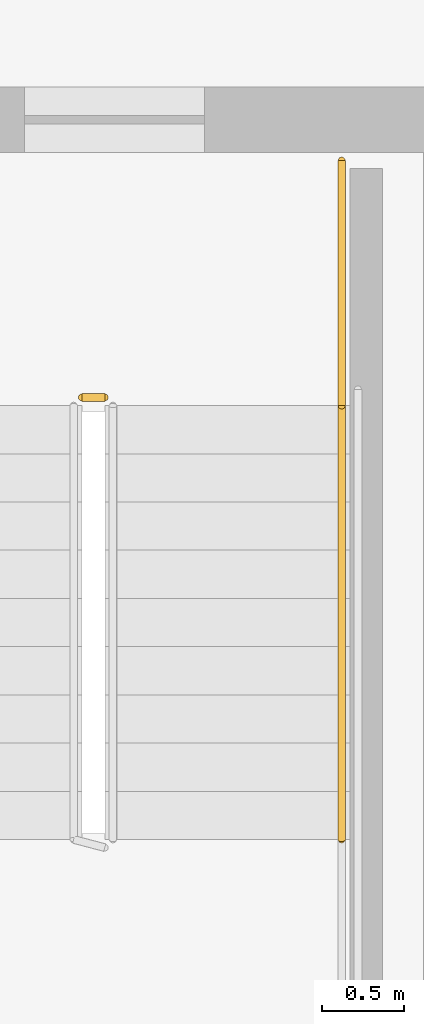
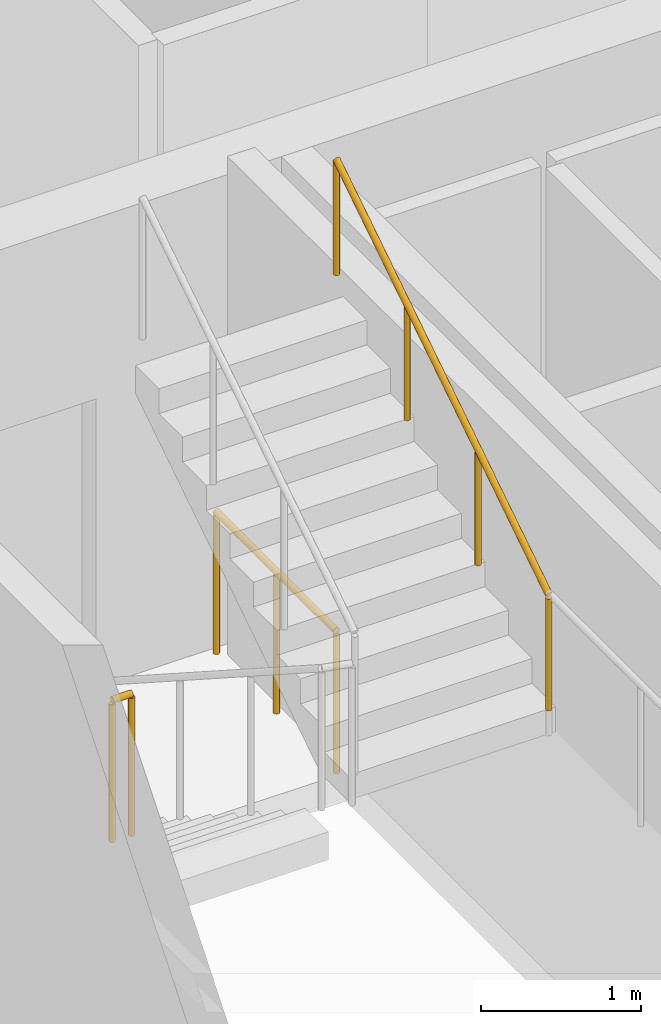
# One storey, part 34 of 37: 3 railings.
"""IFC4 building model written with IfcOpenShell, lengths in metres."""

import ifcopenshell
import ifcopenshell.guid

model = None  # the IFC model being written
_history = None  # IfcOwnerHistory: only IFC2X3 demands one
_inside = {}  # id of a spatial element -> (the spatial element, [elements in it])
_under = {}  # id of a project, library or spatial element -> (it, [spatial elements below it])
_declared = {}  # id of a project -> (the project, [libraries it declares])
_typed = {}  # id of a type object -> (the type object, [elements of that type])
_made_of = {}  # id of a material, layer set ... -> (it, [elements and type objects made of it])


def new_model(schema):
    """Start an empty IFC model of exactly this schema.

    Asked for "IFC4X3", IfcOpenShell would pick the latest addendum, in which some entities
    have other attributes; the version numbers below select the first issue.
    IFC2X3 requires an IfcOwnerHistory on every rooted entity: one is made here for all.
    """
    global model, _history
    if schema == "IFC4X3":
        model = ifcopenshell.file(schema_version=(4, 3, 0, 0))
    else:
        model = ifcopenshell.file(schema=schema)
    _inside.clear()
    _under.clear()
    _declared.clear()
    _typed.clear()
    _made_of.clear()
    _history = None
    if model.schema == "IFC2X3":
        org = make("IfcOrganization", Name="unknown")
        user = make(
            "IfcPersonAndOrganization",
            ThePerson=make("IfcPerson", FamilyName="unknown"),
            TheOrganization=org,
        )
        app = make(
            "IfcApplication",
            ApplicationDeveloper=org,
            Version="unknown",
            ApplicationFullName="unknown",
            ApplicationIdentifier="unknown",
        )
        _history = make(
            "IfcOwnerHistory",
            OwningUser=user,
            OwningApplication=app,
            ChangeAction="ADDED",
            CreationDate=0,
        )
    return model


def make(cls, **values):
    """One entity of the class cls with the attributes given. An attribute that is None is left unset."""
    return model.create_entity(
        cls, **{name: value for name, value in values.items() if value is not None}
    )


def rooted(cls, **values):
    """An entity with a GlobalId (a new one), such as an element, a storey or a relation."""
    return make(cls, GlobalId=ifcopenshell.guid.new(), OwnerHistory=_history, **values)


def si_unit(unit_type, name, prefix=None):
    """IfcSIUnit, for example si_unit("LENGTHUNIT", "METRE", prefix="MILLI")."""
    return make("IfcSIUnit", UnitType=unit_type, Prefix=prefix, Name=name)


def assignment(units):
    """IfcUnitAssignment: the units of a project."""
    return None if units is None else make("IfcUnitAssignment", Units=units)


def point(xyz):
    """IfcCartesianPoint."""
    return None if xyz is None else make("IfcCartesianPoint", Coordinates=xyz)


def direction(xyz):
    """IfcDirection."""
    return None if xyz is None else make("IfcDirection", DirectionRatios=xyz)


def frame(location, z_axis=None, x_axis=None):
    """IfcAxis2Placement3D, a coordinate frame: its origin and axes. An axis left out is left unset."""
    return make(
        "IfcAxis2Placement3D",
        Location=point(location),
        Axis=direction(z_axis),
        RefDirection=direction(x_axis),
    )


def frame_2d(location, x_axis=None):
    """IfcAxis2Placement2D, a coordinate frame in the plane: its origin and x axis."""
    return make(
        "IfcAxis2Placement2D", Location=point(location), RefDirection=direction(x_axis)
    )


def origin():
    """The frame at (0, 0, 0) with its axes left unset."""
    return frame((0.0, 0.0, 0.0))


def origin_2d():
    """The frame at (0, 0) in the plane with its x axis left unset."""
    return frame_2d((0.0, 0.0))


def place(relative_to, where):
    """IfcLocalPlacement: puts the frame where relative to a parent placement (None: the world)."""
    return make(
        "IfcLocalPlacement", PlacementRelTo=relative_to, RelativePlacement=where
    )


def context(
    kind, dimensions, precision=None, world=None, true_north=None, identifier=None
):
    """IfcGeometricRepresentationContext, for example the 3D "Model" context."""
    return make(
        "IfcGeometricRepresentationContext",
        ContextIdentifier=identifier,
        ContextType=kind,
        CoordinateSpaceDimension=dimensions,
        Precision=precision,
        WorldCoordinateSystem=world,
        TrueNorth=true_north,
    )


def subcontext(parent, identifier, kind, view, scale=None):
    """IfcGeometricRepresentationSubContext, for example "Body" below "Model"."""
    return make(
        "IfcGeometricRepresentationSubContext",
        ContextIdentifier=identifier,
        ContextType=kind,
        ParentContext=parent,
        TargetScale=scale,
        TargetView=view,
    )


def project(units=None, contexts=None):
    """IfcProject with its units and contexts."""
    return rooted(
        "IfcProject",
        Name="project",
        RepresentationContexts=contexts,
        UnitsInContext=assignment(units),
    )


def spatial(cls, under=None, at=None, **own):
    """A site, building, storey or space (cls), placed at a placement, below another one or the project."""
    s = rooted(cls, ObjectPlacement=at, **own)
    if under is not None:
        _under.setdefault(under.id(), (under, []))[1].append(s)
    return s


def profile(cls, at=None, kind="AREA", **sizes):
    """A parametric profile (cls). Its sizes go by their IFC names, for example OverallWidth=200.0."""
    return make(cls, ProfileType=kind, Position=at, **sizes)


def circle(**sizes):
    """IfcCircleProfileDef."""
    return profile("IfcCircleProfileDef", **sizes)


def extrude(swept, where, along, depth):
    """IfcExtrudedAreaSolid: the profile swept, set in the frame where, extruded along a direction by depth."""
    return make(
        "IfcExtrudedAreaSolid",
        SweptArea=swept,
        Position=where,
        ExtrudedDirection=direction(along),
        Depth=depth,
    )


def shape(context_of_items, identifier, shape_type, items):
    """IfcShapeRepresentation: the items that make up one representation, for example the "Body"."""
    return make(
        "IfcShapeRepresentation",
        ContextOfItems=context_of_items,
        RepresentationIdentifier=identifier,
        RepresentationType=shape_type,
        Items=items,
    )


def material(Name=None, Category=None):
    """IfcMaterial."""
    return make("IfcMaterial", Name=Name, Category=Category)


def layer(
    of_material, thickness, ventilated=None, Name=None, Category=None, Priority=None
):
    """IfcMaterialLayer: one layer of a wall or slab, of a material (None: an air gap)."""
    return make(
        "IfcMaterialLayer",
        Material=of_material,
        LayerThickness=thickness,
        IsVentilated=ventilated,
        Name=Name,
        Category=Category,
        Priority=Priority,
    )


def layer_set(layers, Name=None):
    """IfcMaterialLayerSet."""
    return make("IfcMaterialLayerSet", MaterialLayers=layers, LayerSetName=Name)


def made_of(thing, what):
    """Note that an element or type object is made of a material, layer set ...; save() writes the relation."""
    if what is not None:
        _made_of.setdefault(what.id(), (what, []))[1].append(thing)
    return thing


def type_object(cls, material=None, **own):
    """A type object (cls), such as IfcWallType, which elements share."""
    return made_of(rooted(cls, **own), material)


def element(
    cls,
    number,
    at=None,
    inside=None,
    cuts=None,
    type_object=None,
    material=None,
    context=None,
    identifier="Body",
    shape_type=None,
    held_by="IfcProductDefinitionShape",
    body=None,
    shapes=None,
    **own,
):
    """One element of the class cls, such as IfcWall. Its Tag is "e" and its number.

    at: its placement. inside: the storey or other place that contains it. cuts: it is an
    opening in that element (IfcRelVoidsElement). A single representation is given by context,
    identifier, shape_type and body (its items); several are given by shapes. held_by: the class
    of the entity that holds the representations. save() writes the other relations.
    """
    e = rooted(cls, Tag="e%d" % number, ObjectPlacement=at, **own)
    if body is not None:
        shapes = [shape(context, identifier, shape_type, body)]
    if shapes is not None:
        e.Representation = make(held_by, Representations=shapes)
    if inside is not None:
        _inside.setdefault(inside.id(), (inside, []))[1].append(e)
    if cuts is not None:
        rooted(
            "IfcRelVoidsElement", RelatingBuildingElement=cuts, RelatedOpeningElement=e
        )
    if type_object is not None:
        _typed.setdefault(type_object.id(), (type_object, []))[1].append(e)
    return made_of(e, material)


def aggregate(whole, parts):
    """IfcRelAggregates: a whole, such as a stair, and the parts it consists of."""
    return rooted("IfcRelAggregates", RelatingObject=whole, RelatedObjects=parts)


def save(model, path):
    """Write the relations noted so far, then the file.

    IfcRelAggregates (storeys below a building ...), IfcRelContainedInSpatialStructure (elements
    in a storey), IfcRelDefinesByType, IfcRelAssociatesMaterial and IfcRelDeclares: one each for
    every whole, place, type object, material and project.
    """
    for whole, parts in _under.values():
        aggregate(whole, parts)
    for where, things in _inside.values():
        rooted(
            "IfcRelContainedInSpatialStructure",
            RelatedElements=things,
            RelatingStructure=where,
        )
    for kind, things in _typed.values():
        rooted("IfcRelDefinesByType", RelatedObjects=things, RelatingType=kind)
    for what, things in _made_of.values():
        rooted("IfcRelAssociatesMaterial", RelatedObjects=things, RelatingMaterial=what)
    for by, libraries in _declared.values():
        rooted("IfcRelDeclares", RelatingContext=by, RelatedDefinitions=libraries)
    model.write(path)


model = new_model("IFC4")

# Units and contexts
model_context = context("Model", 3, precision=1e-05, world=origin(), true_north=direction((0.0, 1.0)))
body_context = subcontext(model_context, "Body", "Model", "MODEL_VIEW")
ifc_project = project(units=[si_unit("LENGTHUNIT", "METRE"), si_unit("AREAUNIT", "SQUARE_METRE"), si_unit("VOLUMEUNIT", "CUBIC_METRE"), si_unit("PLANEANGLEUNIT", "RADIAN"), si_unit("MASSUNIT", "GRAM", prefix="KILO")], contexts=[model_context])

# Site, building, storey
site_placement = place(None, origin())
site = spatial("IfcSite", under=ifc_project, at=site_placement, CompositionType="ELEMENT")
building_placement = place(site_placement, origin())
building = spatial("IfcBuilding", under=site, at=building_placement, Name="Ndaravel Arena Tower", CompositionType="ELEMENT")
storey_placement = place(building_placement, frame((0.0, 0.0, 218.0)))
storey = spatial("IfcBuildingStorey", under=building, at=storey_placement, Name="L52", CompositionType="ELEMENT", Elevation=218.0)

# Railings
ifc_material_1 = material(Name="Steel S355", Category="steel")
ifc_layer_1 = layer(ifc_material_1, 0.06005859375)
ifc_layer_set_1 = layer_set([ifc_layer_1], Name="Steel S355")
railing_type_1 = type_object("IfcRailingType", Name="RAIL-STAIR-GD1100", PredefinedType="GUARDRAIL", material=ifc_layer_set_1)
railing_1_placement = place(storey_placement, frame((40.449951171875, 13.300048828125, 0.0)))
element("IfcRailing", 1, at=railing_1_placement, inside=storey, type_object=railing_type_1, Name="L52 ST-2 stair guard 4", PredefinedType="GUARDRAIL", context=body_context, shape_type="SweptSolid", body=[
    extrude(circle(Radius=0.02392578125, at=origin_2d()), frame((0.0, 0.0, 1.076171875), z_axis=(1.0, 0.0, 0.0), x_axis=(0.0, 1.0, 0.0)), (0.0, 0.0, 1.0), 0.14013671875),
    extrude(circle(Radius=0.02099609375, at=origin_2d()), origin(), (0.0, 0.0, 1.0), 1.052001953125),
    extrude(circle(Radius=0.02099609375, at=origin_2d()), frame((0.14013671875, 0.0, 0.0)), (0.0, 0.0, 1.0), 1.052001953125),
])
railing_2_placement = place(storey_placement, frame((42.0400390625, 14.75, 0.0)))
element("IfcRailing", 2, at=railing_2_placement, inside=storey, type_object=railing_type_1, Name="L52 ST-2 stair guard 5", PredefinedType="GUARDRAIL", context=body_context, shape_type="SweptSolid", body=[
    extrude(circle(Radius=0.02392578125, at=origin_2d()), frame((0.0, 0.0, 1.076171875), z_axis=(0.0, -1.0, 0.0), x_axis=(1.0, 0.0, 0.0)), (0.0, 0.0, 1.0), 1.5),
    extrude(circle(Radius=0.02099609375, at=origin_2d()), origin(), (0.0, 0.0, 1.0), 1.052001953125),
    extrude(circle(Radius=0.02099609375, at=origin_2d()), frame((0.0, -0.75, 0.0)), (0.0, 0.0, 1.0), 1.052001953125),
    extrude(circle(Radius=0.02099609375, at=origin_2d()), frame((0.0, -1.5, 0.0)), (0.0, 0.0, 1.0), 1.052001953125),
])
ifc_material_2 = material(Name="Steel S355", Category="steel")
ifc_layer_2 = layer(ifc_material_2, 0.050048828125)
ifc_layer_set_2 = layer_set([ifc_layer_2], Name="Steel S355")
railing_type_2 = type_object("IfcRailingType", Name="RAIL-STAIR-HR920", PredefinedType="HANDRAIL", material=ifc_layer_set_2)
railing_3_placement = place(storey_placement, frame((42.0400390625, 10.594970703125, 2.090087890625)))
element("IfcRailing", 3, at=railing_3_placement, inside=storey, type_object=railing_type_2, Name="L52 ST-2 stair handrail 2", PredefinedType="HANDRAIL", context=body_context, shape_type="SweptSolid", body=[
    extrude(circle(Radius=0.02392578125, at=origin_2d()), frame((0.0, 0.0, 0.8759765625), z_axis=(0.0, 0.840723540582, 0.54146461409), x_axis=(-1.0, 0.0, 0.0)), (0.0, 0.0, 1.0), 3.157958984375),
    extrude(circle(Radius=0.02099609375, at=origin_2d()), origin(), (0.0, 0.0, 1.0), 0.851806640625),
    extrude(circle(Radius=0.02099609375, at=origin_2d()), frame((0.0, 0.885009765625, 0.570068359375)), (0.0, 0.0, 1.0), 0.851806640625),
    extrude(circle(Radius=0.02099609375, at=origin_2d()), frame((0.0, 1.77001953125, 1.139892578125)), (0.0, 0.0, 1.0), 0.851806640625),
    extrude(circle(Radius=0.02099609375, at=origin_2d()), frame((0.0, 2.655029296875, 1.7099609375)), (0.0, 0.0, 1.0), 0.851806640625),
])

save(model, "model.ifc")
